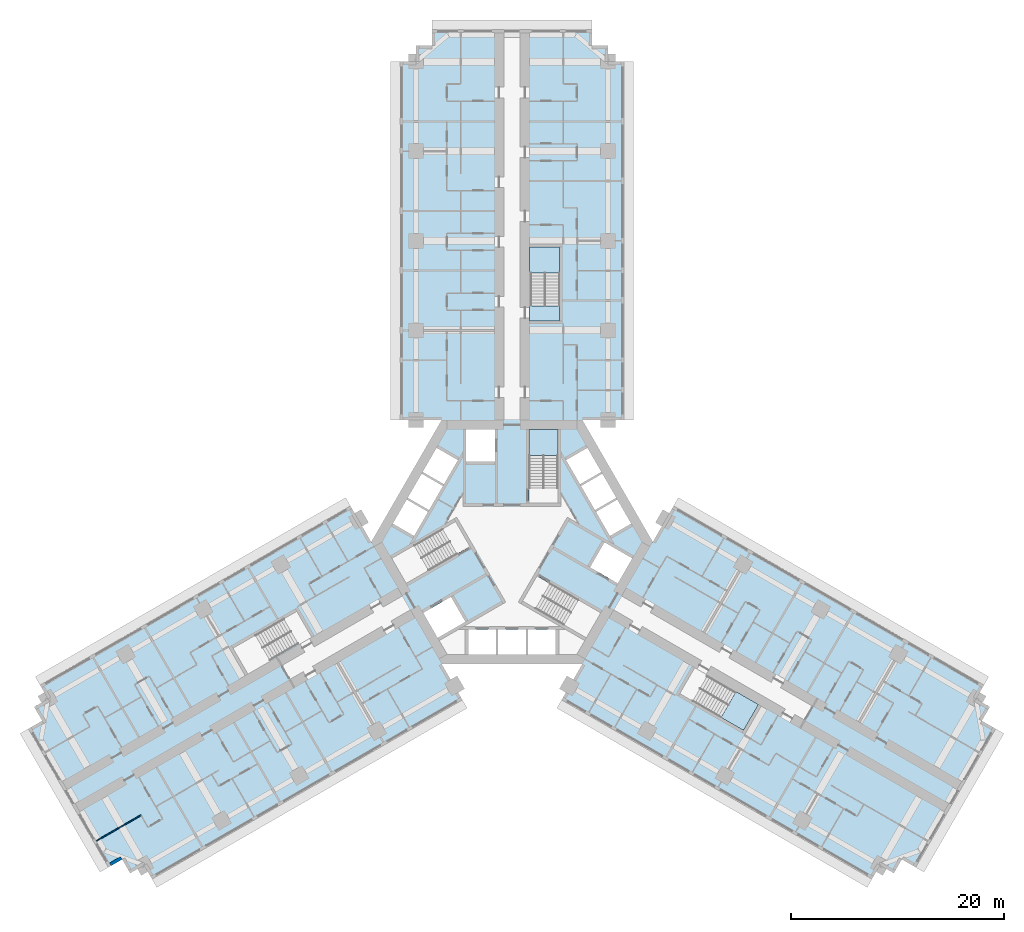
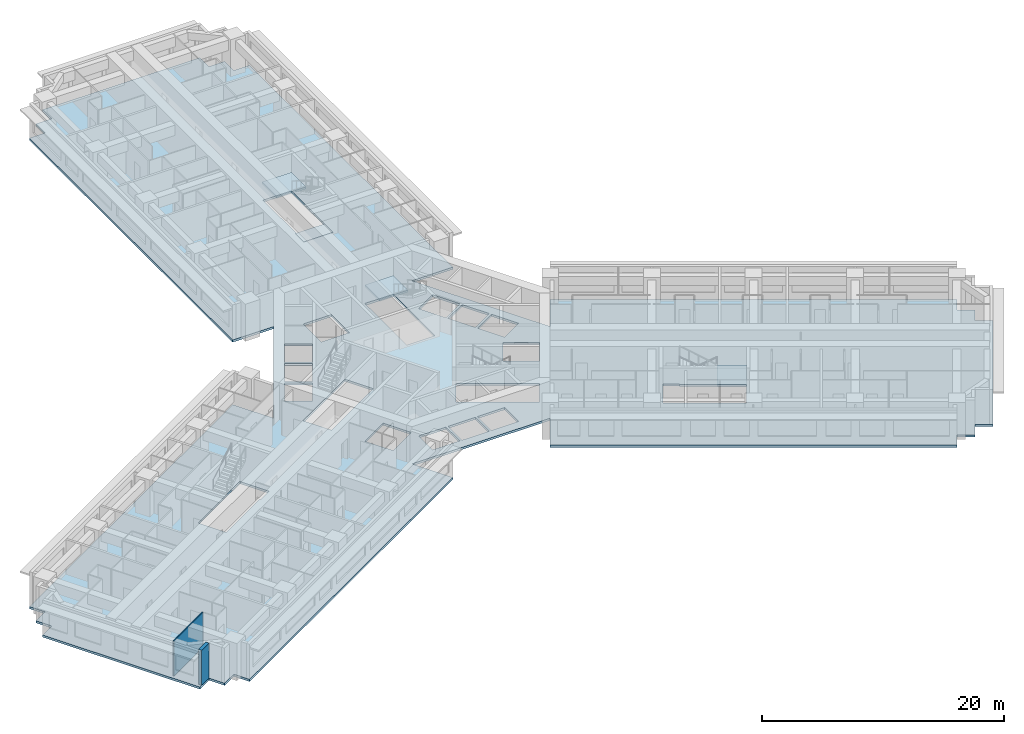
# One storey, part 2 of 16: 5 slabs, 2 walls, 3 elements without a shape of their own.
"""IFC4 building model written with IfcOpenShell, lengths in metres."""

import ifcopenshell
import ifcopenshell.guid

model = None  # the IFC model being written
_history = None  # IfcOwnerHistory: only IFC2X3 demands one
_inside = {}  # id of a spatial element -> (the spatial element, [elements in it])
_under = {}  # id of a project, library or spatial element -> (it, [spatial elements below it])
_declared = {}  # id of a project -> (the project, [libraries it declares])
_typed = {}  # id of a type object -> (the type object, [elements of that type])
_made_of = {}  # id of a material, layer set ... -> (it, [elements and type objects made of it])


def new_model(schema):
    """Start an empty IFC model of exactly this schema.

    Asked for "IFC4X3", IfcOpenShell would pick the latest addendum, in which some entities
    have other attributes; the version numbers below select the first issue.
    IFC2X3 requires an IfcOwnerHistory on every rooted entity: one is made here for all.
    """
    global model, _history
    if schema == "IFC4X3":
        model = ifcopenshell.file(schema_version=(4, 3, 0, 0))
    else:
        model = ifcopenshell.file(schema=schema)
    _inside.clear()
    _under.clear()
    _declared.clear()
    _typed.clear()
    _made_of.clear()
    _history = None
    if model.schema == "IFC2X3":
        org = make("IfcOrganization", Name="unknown")
        user = make(
            "IfcPersonAndOrganization",
            ThePerson=make("IfcPerson", FamilyName="unknown"),
            TheOrganization=org,
        )
        app = make(
            "IfcApplication",
            ApplicationDeveloper=org,
            Version="unknown",
            ApplicationFullName="unknown",
            ApplicationIdentifier="unknown",
        )
        _history = make(
            "IfcOwnerHistory",
            OwningUser=user,
            OwningApplication=app,
            ChangeAction="ADDED",
            CreationDate=0,
        )
    return model


def make(cls, **values):
    """One entity of the class cls with the attributes given. An attribute that is None is left unset."""
    return model.create_entity(
        cls, **{name: value for name, value in values.items() if value is not None}
    )


def rooted(cls, **values):
    """An entity with a GlobalId (a new one), such as an element, a storey or a relation."""
    return make(cls, GlobalId=ifcopenshell.guid.new(), OwnerHistory=_history, **values)


def si_unit(unit_type, name, prefix=None):
    """IfcSIUnit, for example si_unit("LENGTHUNIT", "METRE", prefix="MILLI")."""
    return make("IfcSIUnit", UnitType=unit_type, Prefix=prefix, Name=name)


def assignment(units):
    """IfcUnitAssignment: the units of a project."""
    return None if units is None else make("IfcUnitAssignment", Units=units)


def point(xyz):
    """IfcCartesianPoint."""
    return None if xyz is None else make("IfcCartesianPoint", Coordinates=xyz)


def direction(xyz):
    """IfcDirection."""
    return None if xyz is None else make("IfcDirection", DirectionRatios=xyz)


def frame(location, z_axis=None, x_axis=None):
    """IfcAxis2Placement3D, a coordinate frame: its origin and axes. An axis left out is left unset."""
    return make(
        "IfcAxis2Placement3D",
        Location=point(location),
        Axis=direction(z_axis),
        RefDirection=direction(x_axis),
    )


def frame_2d(location, x_axis=None):
    """IfcAxis2Placement2D, a coordinate frame in the plane: its origin and x axis."""
    return make(
        "IfcAxis2Placement2D", Location=point(location), RefDirection=direction(x_axis)
    )


def origin():
    """The frame at (0, 0, 0) with its axes left unset."""
    return frame((0.0, 0.0, 0.0))


def place(relative_to, where):
    """IfcLocalPlacement: puts the frame where relative to a parent placement (None: the world)."""
    return make(
        "IfcLocalPlacement", PlacementRelTo=relative_to, RelativePlacement=where
    )


def context(
    kind, dimensions, precision=None, world=None, true_north=None, identifier=None
):
    """IfcGeometricRepresentationContext, for example the 3D "Model" context."""
    return make(
        "IfcGeometricRepresentationContext",
        ContextIdentifier=identifier,
        ContextType=kind,
        CoordinateSpaceDimension=dimensions,
        Precision=precision,
        WorldCoordinateSystem=world,
        TrueNorth=true_north,
    )


def subcontext(parent, identifier, kind, view, scale=None):
    """IfcGeometricRepresentationSubContext, for example "Body" below "Model"."""
    return make(
        "IfcGeometricRepresentationSubContext",
        ContextIdentifier=identifier,
        ContextType=kind,
        ParentContext=parent,
        TargetScale=scale,
        TargetView=view,
    )


def project(units=None, contexts=None):
    """IfcProject with its units and contexts."""
    return rooted(
        "IfcProject",
        Name="project",
        RepresentationContexts=contexts,
        UnitsInContext=assignment(units),
    )


def spatial(cls, under=None, at=None, **own):
    """A site, building, storey or space (cls), placed at a placement, below another one or the project."""
    s = rooted(cls, ObjectPlacement=at, **own)
    if under is not None:
        _under.setdefault(under.id(), (under, []))[1].append(s)
    return s


def polyline(points):
    """IfcPolyline through the points."""
    return make("IfcPolyline", Points=[point(p) for p in points])


def profile(cls, at=None, kind="AREA", **sizes):
    """A parametric profile (cls). Its sizes go by their IFC names, for example OverallWidth=200.0."""
    return make(cls, ProfileType=kind, Position=at, **sizes)


def rectangle(**sizes):
    """IfcRectangleProfileDef."""
    return profile("IfcRectangleProfileDef", **sizes)


def outline(outer, holes=None, kind="AREA"):
    """IfcArbitraryClosedProfileDef: a profile drawn as a closed curve; with holes, ...WithVoids."""
    if holes is None:
        return make("IfcArbitraryClosedProfileDef", ProfileType=kind, OuterCurve=outer)
    return make(
        "IfcArbitraryProfileDefWithVoids",
        ProfileType=kind,
        OuterCurve=outer,
        InnerCurves=holes,
    )


def extrude(swept, where, along, depth):
    """IfcExtrudedAreaSolid: the profile swept, set in the frame where, extruded along a direction by depth."""
    return make(
        "IfcExtrudedAreaSolid",
        SweptArea=swept,
        Position=where,
        ExtrudedDirection=direction(along),
        Depth=depth,
    )


def shape(context_of_items, identifier, shape_type, items):
    """IfcShapeRepresentation: the items that make up one representation, for example the "Body"."""
    return make(
        "IfcShapeRepresentation",
        ContextOfItems=context_of_items,
        RepresentationIdentifier=identifier,
        RepresentationType=shape_type,
        Items=items,
    )


def material(Name=None, Category=None):
    """IfcMaterial."""
    return make("IfcMaterial", Name=Name, Category=Category)


def layer(
    of_material, thickness, ventilated=None, Name=None, Category=None, Priority=None
):
    """IfcMaterialLayer: one layer of a wall or slab, of a material (None: an air gap)."""
    return make(
        "IfcMaterialLayer",
        Material=of_material,
        LayerThickness=thickness,
        IsVentilated=ventilated,
        Name=Name,
        Category=Category,
        Priority=Priority,
    )


def layer_set(layers, Name=None):
    """IfcMaterialLayerSet."""
    return make("IfcMaterialLayerSet", MaterialLayers=layers, LayerSetName=Name)


def made_of(thing, what):
    """Note that an element or type object is made of a material, layer set ...; save() writes the relation."""
    if what is not None:
        _made_of.setdefault(what.id(), (what, []))[1].append(thing)
    return thing


def type_object(cls, material=None, **own):
    """A type object (cls), such as IfcWallType, which elements share."""
    return made_of(rooted(cls, **own), material)


def element(
    cls,
    number,
    at=None,
    inside=None,
    cuts=None,
    type_object=None,
    material=None,
    context=None,
    identifier="Body",
    shape_type=None,
    held_by="IfcProductDefinitionShape",
    body=None,
    shapes=None,
    **own,
):
    """One element of the class cls, such as IfcWall. Its Tag is "e" and its number.

    at: its placement. inside: the storey or other place that contains it. cuts: it is an
    opening in that element (IfcRelVoidsElement). A single representation is given by context,
    identifier, shape_type and body (its items); several are given by shapes. held_by: the class
    of the entity that holds the representations. save() writes the other relations.
    """
    e = rooted(cls, Tag="e%d" % number, ObjectPlacement=at, **own)
    if body is not None:
        shapes = [shape(context, identifier, shape_type, body)]
    if shapes is not None:
        e.Representation = make(held_by, Representations=shapes)
    if inside is not None:
        _inside.setdefault(inside.id(), (inside, []))[1].append(e)
    if cuts is not None:
        rooted(
            "IfcRelVoidsElement", RelatingBuildingElement=cuts, RelatedOpeningElement=e
        )
    if type_object is not None:
        _typed.setdefault(type_object.id(), (type_object, []))[1].append(e)
    return made_of(e, material)


def aggregate(whole, parts):
    """IfcRelAggregates: a whole, such as a stair, and the parts it consists of."""
    return rooted("IfcRelAggregates", RelatingObject=whole, RelatedObjects=parts)


def save(model, path):
    """Write the relations noted so far, then the file.

    IfcRelAggregates (storeys below a building ...), IfcRelContainedInSpatialStructure (elements
    in a storey), IfcRelDefinesByType, IfcRelAssociatesMaterial and IfcRelDeclares: one each for
    every whole, place, type object, material and project.
    """
    for whole, parts in _under.values():
        aggregate(whole, parts)
    for where, things in _inside.values():
        rooted(
            "IfcRelContainedInSpatialStructure",
            RelatedElements=things,
            RelatingStructure=where,
        )
    for kind, things in _typed.values():
        rooted("IfcRelDefinesByType", RelatedObjects=things, RelatingType=kind)
    for what, things in _made_of.values():
        rooted("IfcRelAssociatesMaterial", RelatedObjects=things, RelatingMaterial=what)
    for by, libraries in _declared.values():
        rooted("IfcRelDeclares", RelatingContext=by, RelatedDefinitions=libraries)
    model.write(path)


model = new_model("IFC4")

# Units and contexts
model_context = context("Model", 3, precision=1e-05, world=origin(), true_north=direction((0.0, 1.0)))
body_context = subcontext(model_context, "Body", "Model", "MODEL_VIEW")
ifc_project = project(units=[si_unit("LENGTHUNIT", "METRE"), si_unit("AREAUNIT", "SQUARE_METRE"), si_unit("VOLUMEUNIT", "CUBIC_METRE"), si_unit("PLANEANGLEUNIT", "RADIAN"), si_unit("MASSUNIT", "GRAM", prefix="KILO")], contexts=[model_context])

# Site, building, storey
site_placement = place(None, origin())
site = spatial("IfcSite", under=ifc_project, at=site_placement, CompositionType="ELEMENT")
building_placement = place(site_placement, origin())
building = spatial("IfcBuilding", under=site, at=building_placement, Name="Impinga Residences", CompositionType="ELEMENT")
storey_placement = place(building_placement, frame((0.0, 0.0, 63.5)))
storey = spatial("IfcBuildingStorey", under=building, at=storey_placement, Name="L15", CompositionType="ELEMENT", Elevation=63.5)

# Slab
ifc_material_1 = material(Name="Concrete C60/75", Category="concrete")
ifc_layer_1 = layer(ifc_material_1, 0.219970703125)
ifc_layer_set_1 = layer_set([ifc_layer_1], Name="Concrete C60/75")
slab_type_1 = type_object("IfcSlabType", Name="FS1 tower floor slab 220", PredefinedType="FLOOR", material=ifc_layer_set_1)
slab_1_placement = place(storey_placement, frame((0.0, 0.0, -0.219970703125)))
element("IfcSlab", 1, at=slab_1_placement, inside=storey, type_object=slab_type_1, Name="Floor slab FS1 L15", PredefinedType="FLOOR", context=body_context, shape_type="SweptSolid", body=[
    extrude(outline(polyline([(-34.49853515625, -30.31005859375), (-35.797607421875, -31.06005859375), (-36.547607421875, -29.760986328125), (-37.846435546875, -30.510986328125), (-45.346435546875, -17.5205078125), (-44.047607421875, -16.7705078125), (-44.797607421875, -15.471435546875), (-43.49853515625, -14.721435546875), (-44.24853515625, -13.422607421875), (-15.14990234375, 3.37744140625), (-13.199951171875, 0.0), (-6.60009765625, 11.431640625), (-10.5, 11.431640625), (-10.5, 45.031494140625), (-9.0, 45.031494140625), (-9.0, 46.531494140625), (-7.5, 46.531494140625), (-7.5, 48.031494140625), (7.5, 48.031494140625), (7.5, 46.531494140625), (9.0, 46.531494140625), (9.0, 45.031494140625), (10.5, 45.031494140625), (10.5, 11.431640625), (6.60009765625, 11.431640625), (13.199951171875, 0.0), (15.14990234375, 3.37744140625), (44.24853515625, -13.422607421875), (43.49853515625, -14.721435546875), (44.797607421875, -15.471435546875), (44.047607421875, -16.7705078125), (45.346435546875, -17.5205078125), (37.846435546875, -30.510986328125), (36.547607421875, -29.760986328125), (35.797607421875, -31.06005859375), (34.49853515625, -30.31005859375), (33.74853515625, -31.609130859375), (4.64990234375, -14.80908203125), (9.900146484375, -5.7158203125), (6.60009765625, -11.431640625), (-6.60009765625, -11.431640625), (-9.900146484375, -5.7158203125), (-4.64990234375, -14.80908203125), (-33.74853515625, -31.609130859375), (-34.49853515625, -30.31005859375)]), holes=[polyline([(-21.391357421875, -7.2119140625), (-26.154541015625, -9.9619140625), (-24.8046875, -12.30029296875), (-20.04150390625, -9.55029296875), (-19.991455078125, -9.63671875), (-18.779052734375, -8.936767578125), (-18.8291015625, -8.850341796875), (-18.8291015625, -8.850341796875), (-20.178955078125, -6.511962890625), (-21.391357421875, -7.2119140625), (-21.391357421875, -7.2119140625)]), polyline([(-1.5, -8.2314453125), (-4.10009765625, -8.2314453125), (-4.10009765625, -10.531494140625), (-1.5, -10.531494140625), (-1.5, -8.2314453125)]), polyline([(1.300048828125, -8.2314453125), (-1.300048828125, -8.2314453125), (-1.300048828125, -10.531494140625), (1.300048828125, -10.531494140625), (1.300048828125, -8.2314453125)]), polyline([(1.5, -8.2314453125), (1.5, -10.531494140625), (4.10009765625, -10.531494140625), (4.10009765625, -8.2314453125), (1.5, -8.2314453125)]), polyline([(-5.72119140625, -5.150634765625), (-8.320556640625, -6.6513671875), (-6.970458984375, -8.98974609375), (-4.37109375, -7.489013671875), (-5.72119140625, -5.150634765625)]), polyline([(-3.943603515625, -0.429443359375), (-5.293701171875, 1.908935546875), (-11.2705078125, -1.541748046875), (-9.920654296875, -3.880126953125), (-3.943603515625, -0.429443359375)]), polyline([(-9.1787109375, 0.56494140625), (-7.878662109375, 2.816650390625), (-9.87060546875, 3.966796875), (-11.170654296875, 1.715087890625), (-9.1787109375, 0.56494140625)]), polyline([(-6.478759765625, 5.24169921875), (-8.470458984375, 6.3916015625), (-9.7705078125, 4.139892578125), (-7.77880859375, 2.989990234375), (-6.478759765625, 5.24169921875)]), polyline([(-6.378662109375, 5.414794921875), (-5.07861328125, 7.66650390625), (-7.070556640625, 8.81640625), (-8.37060546875, 6.564697265625), (-6.378662109375, 5.414794921875)]), polyline([(-4.300048828125, 7.530029296875), (-1.60009765625, 7.530029296875), (-1.60009765625, 10.531494140625), (-4.300048828125, 10.531494140625), (-4.300048828125, 7.530029296875)]), polyline([(15.72900390625, -14.219482421875), (21.70458984375, -17.669677734375), (23.0546875, -15.331298828125), (18.29150390625, -12.581298828125), (18.341552734375, -12.49462890625), (17.129150390625, -11.794677734375), (15.72900390625, -14.219482421875)]), polyline([(0.99365234375, -5.538818359375), (6.970458984375, -8.98974609375), (8.320556640625, -6.6513671875), (2.34375, -3.20068359375), (0.99365234375, -5.538818359375)]), polyline([(8.671142578125, -0.041015625), (7.3212890625, -2.37939453125), (9.920654296875, -3.880126953125), (11.2705078125, -1.541748046875), (8.671142578125, -0.041015625)]), polyline([(7.878662109375, 2.816650390625), (9.1787109375, 0.56494140625), (11.170654296875, 1.715087890625), (9.87060546875, 3.966796875), (7.878662109375, 2.816650390625)]), polyline([(7.77880859375, 2.989990234375), (9.7705078125, 4.139892578125), (8.470458984375, 6.3916015625), (6.478759765625, 5.24169921875), (7.77880859375, 2.989990234375)]), polyline([(1.60009765625, 3.6298828125), (4.300048828125, 3.6298828125), (4.300048828125, 10.531494140625), (1.60009765625, 10.531494140625), (1.60009765625, 3.6298828125)]), polyline([(5.07861328125, 7.66650390625), (6.378662109375, 5.414794921875), (8.37060546875, 6.564697265625), (7.070556640625, 8.81640625), (5.07861328125, 7.66650390625)]), polyline([(1.75, 22.131591796875), (1.64990234375, 22.131591796875), (1.64990234375, 20.7314453125), (1.75, 20.7314453125), (4.449951171875, 20.7314453125), (4.449951171875, 22.131591796875), (4.449951171875, 27.631591796875), (1.75, 27.631591796875), (1.75, 22.131591796875)])]), origin(), (0.0, 0.0, 1.0), 0.219970703125),
])

# Stair, slab
ifc_material_2 = material(Name="Concrete C40/50", Category="concrete")
stair_type_1 = type_object("IfcStairType", Name="STR core stair 3750 storey, 24 risers", PredefinedType="HALF_TURN_STAIR", material=ifc_material_2)
stair_1_placement = place(storey_placement, origin())
stair_1 = element("IfcStair", 2, at=stair_1_placement, inside=storey, type_object=stair_type_1, Name="Stair ST1 L15", PredefinedType="HALF_TURN_STAIR")
ifc_layer_2 = layer(ifc_material_2, 0.199951171875)
ifc_layer_set_2 = layer_set([ifc_layer_2], Name="Concrete C40/50")
slab_type_2 = type_object("IfcSlabType", Name="LS1 stair landing 200", PredefinedType="LANDING", material=ifc_layer_set_2)
slab_2_placement = place(storey_placement, frame((0.0, 0.0, 1.675048828125)))
slab_2 = element("IfcSlab", 3, at=slab_2_placement, type_object=slab_type_2, Name="ST1 landing 2", PredefinedType="LANDING", context=body_context, shape_type="SweptSolid", body=[
    extrude(outline(polyline([(1.60009765625, 8.10009765625), (4.300048828125, 8.10009765625), (4.300048828125, 10.531494140625), (1.60009765625, 10.531494140625), (1.60009765625, 8.10009765625)])), origin(), (0.0, 0.0, 1.0), 0.199951171875),
])
aggregate(stair_1, [slab_2])

# Stair, slabs
stair_type_2 = type_object("IfcStairType", Name="STR wing stair 3750 storey, 24 risers", PredefinedType="HALF_TURN_STAIR", material=ifc_material_2)
stair_2_placement = place(storey_placement, origin())
stair_2 = element("IfcStair", 4, at=stair_2_placement, inside=storey, type_object=stair_type_2, Name="Stair WS1 L15", PredefinedType="HALF_TURN_STAIR")
slab_3_placement = place(storey_placement, frame((0.0, 0.0, -0.199951171875)))
slab_3 = element("IfcSlab", 5, at=slab_3_placement, type_object=slab_type_2, Name="WS1 landing 1", PredefinedType="LANDING", context=body_context, shape_type="SweptSolid", body=[
    extrude(outline(polyline([(1.64990234375, 20.7314453125), (4.449951171875, 20.7314453125), (4.449951171875, 22.1416015625), (1.64990234375, 22.1416015625), (1.64990234375, 20.7314453125)])), origin(), (0.0, 0.0, 1.0), 0.199951171875),
])
slab_4_placement = place(storey_placement, frame((0.0, 0.0, 1.675048828125)))
slab_4 = element("IfcSlab", 6, at=slab_4_placement, type_object=slab_type_2, Name="WS1 landing 2", PredefinedType="LANDING", context=body_context, shape_type="SweptSolid", body=[
    extrude(outline(polyline([(1.64990234375, 25.201416015625), (4.449951171875, 25.201416015625), (4.449951171875, 27.631591796875), (1.64990234375, 27.631591796875), (1.64990234375, 25.201416015625)])), origin(), (0.0, 0.0, 1.0), 0.199951171875),
])
aggregate(stair_2, [slab_3, slab_4])

# Stair, slab
stair_3_placement = place(storey_placement, origin())
stair_3 = element("IfcStair", 7, at=stair_3_placement, inside=storey, type_object=stair_type_2, Name="Stair WS3 L15", PredefinedType="HALF_TURN_STAIR")
slab_5_placement = place(storey_placement, frame((0.0, 0.0, 1.675048828125)))
slab_5 = element("IfcSlab", 8, at=slab_5_placement, type_object=slab_type_2, Name="WS3 landing 2", PredefinedType="LANDING", context=body_context, shape_type="SweptSolid", body=[
    extrude(outline(polyline([(21.000244140625, -14.02978515625), (19.60009765625, -16.45458984375), (21.70458984375, -17.669677734375), (23.1044921875, -15.24462890625), (21.000244140625, -14.02978515625)])), origin(), (0.0, 0.0, 1.0), 0.199951171875),
])
aggregate(stair_3, [slab_5])

# Walls
ifc_material_3 = material(Name="Terracotta rainscreen on blockwork", Category="masonry")
ifc_layer_3 = layer(ifc_material_3, 0.300048828125)
ifc_layer_set_3 = layer_set([ifc_layer_3], Name="EW1 external wall, terracotta rainscreen on blockwork 300")
wall_type_1 = type_object("IfcWallType", Name="EW1 external wall, terracotta rainscreen on blockwork 300", PredefinedType="SOLIDWALL", material=ifc_layer_set_3)
wall_1_placement = place(storey_placement, frame((-36.626708984375, -29.633544921875, 0.0), z_axis=(0.0, 0.0, 1.0), x_axis=(-0.866059708757, -0.499940577336, 0.0)))
element("IfcWall", 9, at=wall_1_placement, inside=storey, type_object=wall_type_1, Name="External wall EW1 L15", PredefinedType="SOLIDWALL", context=body_context, shape_type="SweptSolid", body=[
    extrude(rectangle(XDim=1.195068359375, YDim=0.300048828125, at=frame_2d((0.59765625, 0.0))), origin(), (0.0, 0.0, 1.0), 3.530029296875),
])
ifc_material_4 = material(Name="Gypsum board on steel studs", Category="steel")
ifc_layer_4 = layer(ifc_material_4, 0.10009765625)
ifc_layer_set_4 = layer_set([ifc_layer_4], Name="Gypsum board on steel studs")
wall_type_2 = type_object("IfcWallType", Name="IP1 partition 100", PredefinedType="PARTITIONING", material=ifc_layer_set_4)
wall_2_placement = place(storey_placement, frame((-34.77978515625, -25.622802734375, 0.0), z_axis=(0.0, 0.0, 1.0), x_axis=(-0.866037363387, -0.499979284789, 0.0)))
element("IfcWall", 10, at=wall_2_placement, inside=storey, type_object=wall_type_2, Name="Partition L15-WA5:DIV1", PredefinedType="PARTITIONING", context=body_context, shape_type="SweptSolid", body=[
    extrude(rectangle(XDim=4.800048828125, YDim=0.10009765625, at=frame_2d((2.39990234375, 0.0))), origin(), (0.0, 0.0, 1.0), 3.530029296875),
])

save(model, "model.ifc")
